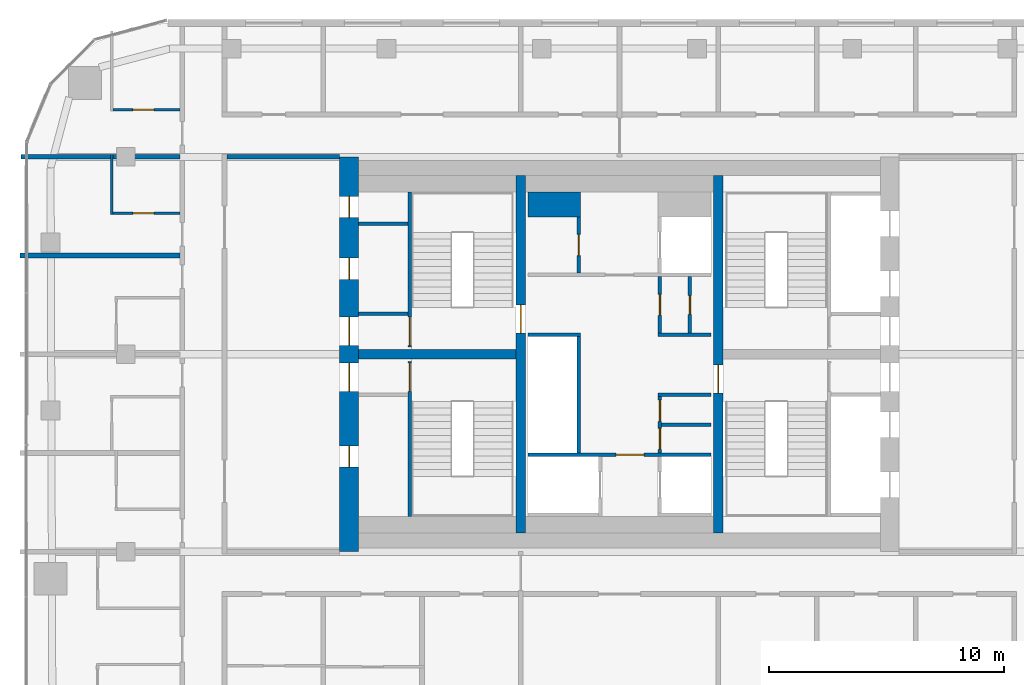
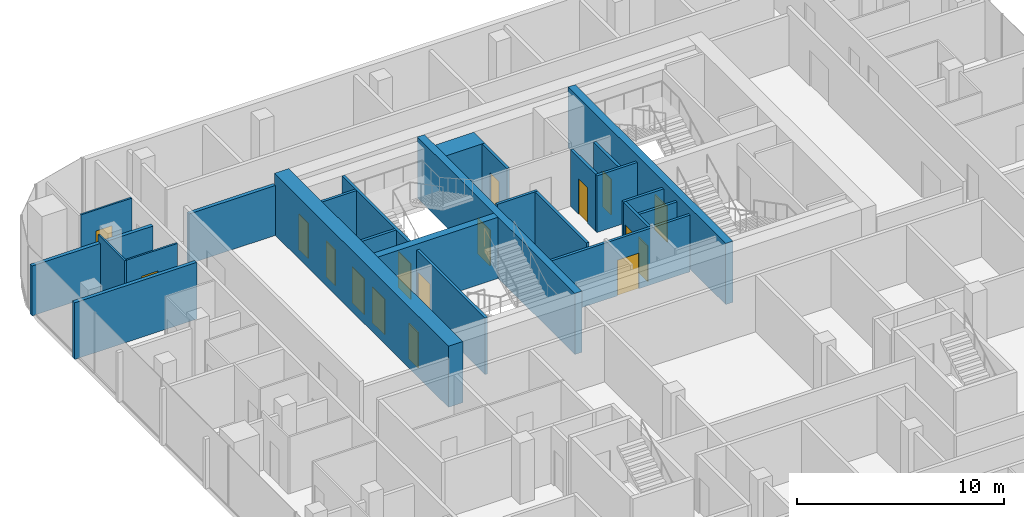
# One storey, part 18 of 22: 25 walls, 17 doors, 17 openings.
"""IFC4 building model written with IfcOpenShell, lengths in metres."""

from ifc_helpers import new_model, si_unit, direction, frame, frame_2d, origin, place, context, subcontext, project, spatial, rectangle, extrude, material, layer, layer_set, type_object, element, fill, save


model = new_model("IFC4")

# Units and contexts
model_context = context("Model", 3, precision=1e-05, world=origin(), true_north=direction((0.0, 1.0)))
body_context = subcontext(model_context, "Body", "Model", "MODEL_VIEW")
ifc_project = project(units=[si_unit("LENGTHUNIT", "METRE"), si_unit("AREAUNIT", "SQUARE_METRE"), si_unit("VOLUMEUNIT", "CUBIC_METRE"), si_unit("PLANEANGLEUNIT", "RADIAN"), si_unit("MASSUNIT", "GRAM", prefix="KILO")], contexts=[model_context])

# Site, building, storey
site_placement = place(None, origin())
site = spatial("IfcSite", under=ifc_project, at=site_placement, CompositionType="ELEMENT")
building_placement = place(site_placement, origin())
building = spatial("IfcBuilding", under=site, at=building_placement, Name="Marenta Gate Hotel Tower", CompositionType="ELEMENT")
storey_placement = place(building_placement, frame((0.0, 0.0, 230.89990234375)))
storey = spatial("IfcBuildingStorey", under=building, at=storey_placement, Name="L54", CompositionType="ELEMENT", Elevation=230.89990234375)

# Wall
ifc_material_1 = material(Name="Concrete blockwork", Category="masonry")
ifc_layer_1 = layer(ifc_material_1, 0.199951171875)
ifc_layer_set_1 = layer_set([ifc_layer_1], Name="Concrete blockwork")
wall_type_1 = type_object("IfcWallType", Name="Core boundary wall 200 REI 180", PredefinedType="PARTITIONING", material=ifc_layer_set_1)
wall_1_placement = place(storey_placement, frame((-16.699951171875, 16.800048828125, 0.0), z_axis=(0.0, 0.0, 1.0), x_axis=(1.0, 0.0, 0.0)))
element("IfcWall", 1, at=wall_1_placement, inside=storey, type_object=wall_type_1, Name="L54-CP-EW-WN", PredefinedType="PARTITIONING", context=body_context, shape_type="SweptSolid", body=[
    extrude(rectangle(XDim=4.800048828125, YDim=0.199951171875, at=frame_2d((2.39990234375, 0.0))), origin(), (0.0, 0.0, 1.0), 2.940185546875),
])

# Wall, opening, door
ifc_material_2 = material(Name="Concrete blockwork", Category="masonry")
ifc_layer_2 = layer(ifc_material_2, 0.14990234375)
ifc_layer_set_2 = layer_set([ifc_layer_2], Name="Concrete blockwork")
wall_type_2 = type_object("IfcWallType", Name="Core lobby partition 150 REI 180", PredefinedType="PARTITIONING", material=ifc_layer_set_2)
wall_2_placement = place(storey_placement, frame((-3.89990234375, 4.125, 0.0), z_axis=(0.0, 0.0, 1.0), x_axis=(1.0, 0.0, 0.0)))
wall_2 = element("IfcWall", 2, at=wall_2_placement, inside=storey, type_object=wall_type_2, Name="L54-CP-CW-S", PredefinedType="PARTITIONING", context=body_context, shape_type="SweptSolid", body=[
    extrude(rectangle(XDim=7.7998046875, YDim=0.14990234375, at=frame_2d((3.89990234375, 0.0))), origin(), (0.0, 0.0, 1.0), 3.340087890625),
])
opening_1_placement = place(wall_2_placement, frame((3.75, 0.0, 0.0)))
opening_1 = element("IfcOpeningElement", 3, at=opening_1_placement, cuts=wall_2, Name="Opening FD-FFS", PredefinedType="OPENING", context=body_context, shape_type="SweptSolid", body=[
    extrude(rectangle(XDim=1.199951171875, YDim=2.10009765625, at=frame_2d((0.60009765625, 1.050048828125))), frame((0.0, 0.074951171875, 0.0), z_axis=(0.0, -1.0, 0.0), x_axis=(1.0, 0.0, 0.0)), (0.0, 0.0, 1.0), 0.14990234375),
])
ifc_material_3 = material(Name="Steel", Category="steel")
door_type_1 = type_object("IfcDoorType", Name="Core lobby door 1200x2100 FD60", OperationType="SINGLE_SWING_LEFT", PredefinedType="DOOR", material=ifc_material_3)
door_1_placement = place(opening_1_placement, origin())
door_1 = element("IfcDoor", 4, at=door_1_placement, inside=storey, type_object=door_type_1, Name="FD-FFS", OperationType="SINGLE_SWING_LEFT", OverallHeight=2.10009765625, OverallWidth=1.199951171875, PredefinedType="DOOR", context=body_context, shape_type="SweptSolid", body=[
    extrude(rectangle(XDim=1.199951171875, YDim=2.10009765625, at=frame_2d((0.60009765625, 1.050048828125))), frame((0.0, 0.02490234375, 0.0), z_axis=(0.0, -1.0, 0.0), x_axis=(1.0, 0.0, 0.0)), (0.0, 0.0, 1.0), 0.050048828125),
])
fill(opening_1, door_1)

# Walls
ifc_material_4 = material(Name="Concrete blockwork", Category="masonry")
ifc_layer_3 = layer(ifc_material_4, 1.050048828125)
ifc_layer_set_3 = layer_set([ifc_layer_3], Name="Concrete blockwork")
wall_type_3 = type_object("IfcWallType", Name="Core room partition 1050 REI 180", PredefinedType="PARTITIONING", material=ifc_layer_set_3)
wall_3_placement = place(storey_placement, frame((-3.89990234375, 14.77490234375, 0.0), z_axis=(0.0, 0.0, 1.0), x_axis=(1.0, 0.0, 0.0)))
element("IfcWall", 5, at=wall_3_placement, inside=storey, type_object=wall_type_3, Name="L54-CP-CW-W-riser-N", PredefinedType="PARTITIONING", context=body_context, shape_type="SweptSolid", body=[
    extrude(rectangle(XDim=2.25, YDim=1.050048828125, at=frame_2d((1.125, 0.0))), origin(), (0.0, 0.0, 1.0), 3.340087890625),
])
ifc_material_5 = material(Name="Concrete blockwork", Category="masonry")
ifc_layer_4 = layer(ifc_material_5, 0.14990234375)
ifc_layer_set_4 = layer_set([ifc_layer_4], Name="Concrete blockwork")
wall_type_4 = type_object("IfcWallType", Name="Core room partition 150 REI 180", PredefinedType="PARTITIONING", material=ifc_layer_set_4)
for number, where, z_axis, x_axis, name in (
    (6, (-11.10009765625, 10.125, 0.0), (0.0, 0.0, 1.0), (1.0, 0.0, 0.0), "L54-CP-SW-WN-2"),
    (7, (-11.10009765625, 13.949951171875, 0.0), (0.0, 0.0, 1.0), (1.0, 0.0, 0.0), "L54-CP-RW-WN-1"),
):
    element("IfcWall", number, at=place(storey_placement, frame(where, z_axis=z_axis, x_axis=x_axis)), inside=storey, type_object=wall_type_4, Name=name, PredefinedType="PARTITIONING", context=body_context, shape_type="SweptSolid", body=[
        extrude(rectangle(XDim=2.10009765625, YDim=0.14990234375, at=frame_2d((1.050048828125, 0.0))), origin(), (0.0, 0.0, 1.0), 3.340087890625),
    ])

# Wall, opening, door
wall_4_placement = place(storey_placement, frame((-1.72509765625, 11.85009765625, 0.0), z_axis=(0.0, 0.0, 1.0), x_axis=(0.0, 1.0, 0.0)))
wall_4 = element("IfcWall", 8, at=wall_4_placement, inside=storey, type_object=wall_type_4, Name="L54-CP-CW-W-riser-front", PredefinedType="PARTITIONING", context=body_context, shape_type="SweptSolid", body=[
    extrude(rectangle(XDim=2.39990234375, YDim=0.14990234375, at=frame_2d((1.199951171875, 0.0))), origin(), (0.0, 0.0, 1.0), 3.340087890625),
])
opening_2_placement = place(wall_4_placement, frame((0.75, 0.0, 0.0)))
opening_2 = element("IfcOpeningElement", 9, at=opening_2_placement, cuts=wall_4, Name="Opening RD-CRISER", PredefinedType="OPENING", context=body_context, shape_type="SweptSolid", body=[
    extrude(rectangle(XDim=0.89990234375, YDim=2.10009765625, at=frame_2d((0.449951171875, 1.050048828125))), frame((0.0, 0.074951171875, 0.0), z_axis=(0.0, -1.0, 0.0), x_axis=(1.0, 0.0, 0.0)), (0.0, 0.0, 1.0), 0.14990234375),
])
ifc_material_6 = material(Name="Steel", Category="steel")
door_type_2 = type_object("IfcDoorType", Name="Core riser door 900x2100 FD60", OperationType="SINGLE_SWING_LEFT", PredefinedType="DOOR", material=ifc_material_6)
door_2_placement = place(opening_2_placement, origin())
door_2 = element("IfcDoor", 10, at=door_2_placement, inside=storey, type_object=door_type_2, Name="RD-CRISER", OperationType="SINGLE_SWING_LEFT", OverallHeight=2.10009765625, OverallWidth=0.89990234375, PredefinedType="DOOR", context=body_context, shape_type="SweptSolid", body=[
    extrude(rectangle(XDim=0.89990234375, YDim=2.10009765625, at=frame_2d((0.449951171875, 1.050048828125))), frame((0.0, 0.02490234375, 0.0), z_axis=(0.0, -1.0, 0.0), x_axis=(1.0, 0.0, 0.0)), (0.0, 0.0, 1.0), 0.050048828125),
])
fill(opening_2, door_2)

# Walls
for number, where, z_axis, x_axis, name in (
    (11, (1.64990234375, 6.675048828125, 0.0), (0.0, 0.0, 1.0), (1.0, 0.0, 0.0), "L54-CP-CE-sep1"),
    (12, (1.64990234375, 9.22509765625, 0.0), (0.0, 0.0, 1.0), (1.0, 0.0, 0.0), "L54-CP-CE-sep2"),
):
    element("IfcWall", number, at=place(storey_placement, frame(where, z_axis=z_axis, x_axis=x_axis)), inside=storey, type_object=wall_type_4, Name=name, PredefinedType="PARTITIONING", context=body_context, shape_type="SweptSolid", body=[
        extrude(rectangle(XDim=2.25, YDim=0.14990234375, at=frame_2d((1.125, 0.0))), origin(), (0.0, 0.0, 1.0), 3.340087890625),
    ])

# Wall, openings, doors
wall_5_placement = place(storey_placement, frame((1.72509765625, 4.199951171875, 0.0), z_axis=(0.0, 0.0, 1.0), x_axis=(0.0, 1.0, 0.0)))
wall_5 = element("IfcWall", 13, at=wall_5_placement, inside=storey, type_object=wall_type_4, Name="L54-CP-CE-front-1", PredefinedType="PARTITIONING", context=body_context, shape_type="SweptSolid", body=[
    extrude(rectangle(XDim=2.400146484375, YDim=0.14990234375, at=frame_2d((1.2001953125, 0.0))), origin(), (0.0, 0.0, 1.0), 3.340087890625),
])
opening_3_placement = place(wall_5_placement, frame((0.14990234375, 0.0, 0.0)))
opening_3 = element("IfcOpeningElement", 14, at=opening_3_placement, cuts=wall_5, Name="Opening RD-CE-1a", PredefinedType="OPENING", context=body_context, shape_type="SweptSolid", body=[
    extrude(rectangle(XDim=0.89990234375, YDim=2.10009765625, at=frame_2d((0.449951171875, 1.050048828125))), frame((0.0, 0.074951171875, 0.0), z_axis=(0.0, -1.0, 0.0), x_axis=(1.0, 0.0, 0.0)), (0.0, 0.0, 1.0), 0.14990234375),
])
opening_4_placement = place(wall_5_placement, frame((1.35009765625, 0.0, 0.0)))
opening_4 = element("IfcOpeningElement", 15, at=opening_4_placement, cuts=wall_5, Name="Opening RD-CE-1b-B", PredefinedType="OPENING", context=body_context, shape_type="SweptSolid", body=[
    extrude(rectangle(XDim=0.89990234375, YDim=2.10009765625, at=frame_2d((0.449951171875, 1.050048828125))), frame((0.0, 0.074951171875, 0.0), z_axis=(0.0, -1.0, 0.0), x_axis=(1.0, 0.0, 0.0)), (0.0, 0.0, 1.0), 0.14990234375),
])
ifc_material_7 = material(Name="Steel", Category="steel")
door_type_3 = type_object("IfcDoorType", Name="Core service room door 900x2100 FD30S", OperationType="SINGLE_SWING_LEFT", PredefinedType="DOOR", material=ifc_material_7)
door_3_placement = place(opening_3_placement, origin())
door_3 = element("IfcDoor", 16, at=door_3_placement, inside=storey, type_object=door_type_3, Name="RD-CE-1a", OperationType="SINGLE_SWING_LEFT", OverallHeight=2.10009765625, OverallWidth=0.89990234375, PredefinedType="DOOR", context=body_context, shape_type="SweptSolid", body=[
    extrude(rectangle(XDim=0.89990234375, YDim=2.10009765625, at=frame_2d((0.449951171875, 1.050048828125))), frame((0.0, 0.02490234375, 0.0), z_axis=(0.0, -1.0, 0.0), x_axis=(1.0, 0.0, 0.0)), (0.0, 0.0, 1.0), 0.050048828125),
])
fill(opening_3, door_3)
door_4_placement = place(opening_4_placement, origin())
door_4 = element("IfcDoor", 17, at=door_4_placement, inside=storey, type_object=door_type_3, Name="RD-CE-1b-B", OperationType="SINGLE_SWING_LEFT", OverallHeight=2.10009765625, OverallWidth=0.89990234375, PredefinedType="DOOR", context=body_context, shape_type="SweptSolid", body=[
    extrude(rectangle(XDim=0.89990234375, YDim=2.10009765625, at=frame_2d((0.449951171875, 1.050048828125))), frame((0.0, 0.02490234375, 0.0), z_axis=(0.0, -1.0, 0.0), x_axis=(1.0, 0.0, 0.0)), (0.0, 0.0, 1.0), 0.050048828125),
])
fill(opening_4, door_4)

# Wall, opening, door
wall_6_placement = place(storey_placement, frame((1.72509765625, 9.300048828125, 0.0), z_axis=(0.0, 0.0, 1.0), x_axis=(0.0, 1.0, 0.0)))
wall_6 = element("IfcWall", 18, at=wall_6_placement, inside=storey, type_object=wall_type_4, Name="L54-CP-CE-front-2", PredefinedType="PARTITIONING", context=body_context, shape_type="SweptSolid", body=[
    extrude(rectangle(XDim=2.39990234375, YDim=0.14990234375, at=frame_2d((1.199951171875, 0.0))), origin(), (0.0, 0.0, 1.0), 3.340087890625),
])
opening_5_placement = place(wall_6_placement, frame((0.75, 0.0, 0.0)))
opening_5 = element("IfcOpeningElement", 19, at=opening_5_placement, cuts=wall_6, Name="Opening RD-CE-2a", PredefinedType="OPENING", context=body_context, shape_type="SweptSolid", body=[
    extrude(rectangle(XDim=0.89990234375, YDim=2.10009765625, at=frame_2d((0.449951171875, 1.050048828125))), frame((0.0, 0.074951171875, 0.0), z_axis=(0.0, -1.0, 0.0), x_axis=(1.0, 0.0, 0.0)), (0.0, 0.0, 1.0), 0.14990234375),
])
door_5_placement = place(opening_5_placement, origin())
door_5 = element("IfcDoor", 20, at=door_5_placement, inside=storey, type_object=door_type_3, Name="RD-CE-2a", OperationType="SINGLE_SWING_LEFT", OverallHeight=2.10009765625, OverallWidth=0.89990234375, PredefinedType="DOOR", context=body_context, shape_type="SweptSolid", body=[
    extrude(rectangle(XDim=0.89990234375, YDim=2.10009765625, at=frame_2d((0.449951171875, 1.050048828125))), frame((0.0, 0.02490234375, 0.0), z_axis=(0.0, -1.0, 0.0), x_axis=(1.0, 0.0, 0.0)), (0.0, 0.0, 1.0), 0.050048828125),
])
fill(opening_5, door_5)

# Wall
wall_7_placement = place(storey_placement, frame((1.800048828125, 5.39990234375, 0.0), z_axis=(0.0, 0.0, 1.0), x_axis=(1.0, 0.0, 0.0)))
element("IfcWall", 21, at=wall_7_placement, inside=storey, type_object=wall_type_4, Name="L54-CP-CE-RW-1", PredefinedType="PARTITIONING", context=body_context, shape_type="SweptSolid", body=[
    extrude(rectangle(XDim=2.099853515625, YDim=0.14990234375, at=frame_2d((1.0498046875, 0.0))), origin(), (0.0, 0.0, 1.0), 3.340087890625),
])

# Wall, opening, door
wall_8_placement = place(storey_placement, frame((3.0, 9.300048828125, 0.0), z_axis=(0.0, 0.0, 1.0), x_axis=(0.0, 1.0, 0.0)))
wall_8 = element("IfcWall", 22, at=wall_8_placement, inside=storey, type_object=wall_type_4, Name="L54-CP-CE-RW-2", PredefinedType="PARTITIONING", context=body_context, shape_type="SweptSolid", body=[
    extrude(rectangle(XDim=2.39990234375, YDim=0.14990234375, at=frame_2d((1.199951171875, 0.0))), origin(), (0.0, 0.0, 1.0), 3.340087890625),
])
opening_6_placement = place(wall_8_placement, frame((0.800048828125, 0.0, 0.0)))
opening_6 = element("IfcOpeningElement", 23, at=opening_6_placement, cuts=wall_8, Name="Opening RD-CE-2b-A", PredefinedType="OPENING", context=body_context, shape_type="SweptSolid", body=[
    extrude(rectangle(XDim=0.800048828125, YDim=2.10009765625, at=frame_2d((0.39990234375, 1.050048828125))), frame((0.0, 0.074951171875, 0.0), z_axis=(0.0, -1.0, 0.0), x_axis=(1.0, 0.0, 0.0)), (0.0, 0.0, 1.0), 0.14990234375),
])
ifc_material_8 = material(Name="Steel", Category="steel")
door_type_4 = type_object("IfcDoorType", Name="Core riser door 800x2100 FD60", OperationType="SINGLE_SWING_LEFT", PredefinedType="DOOR", material=ifc_material_8)
door_6_placement = place(opening_6_placement, origin())
door_6 = element("IfcDoor", 24, at=door_6_placement, inside=storey, type_object=door_type_4, Name="RD-CE-2b-A", OperationType="SINGLE_SWING_LEFT", OverallHeight=2.10009765625, OverallWidth=0.800048828125, PredefinedType="DOOR", context=body_context, shape_type="SweptSolid", body=[
    extrude(rectangle(XDim=0.800048828125, YDim=2.10009765625, at=frame_2d((0.39990234375, 1.050048828125))), frame((0.0, 0.02490234375, 0.0), z_axis=(0.0, -1.0, 0.0), x_axis=(1.0, 0.0, 0.0)), (0.0, 0.0, 1.0), 0.050048828125),
])
fill(opening_6, door_6)

# Walls
ifc_material_9 = material(Name="Concrete C40", Category="concrete")
ifc_layer_5 = layer(ifc_material_9, 0.14990234375)
ifc_layer_set_5 = layer_set([ifc_layer_5], Name="Concrete C40")
wall_type_5 = type_object("IfcWallType", Name="Core shaft wall 150 REI 180", PredefinedType="SHEAR", material=ifc_layer_set_5)
wall_9_placement = place(storey_placement, frame((-1.72509765625, 4.199951171875, 0.0), z_axis=(0.0, 0.0, 1.0), x_axis=(0.0, 1.0, 0.0)))
element("IfcWall", 25, at=wall_9_placement, inside=storey, type_object=wall_type_5, Name="L54-SHF-CW-W-front", PredefinedType="SHEAR", context=body_context, shape_type="SweptSolid", body=[
    extrude(rectangle(XDim=4.949951171875, YDim=0.14990234375, at=frame_2d((2.47509765625, 0.0))), origin(), (0.0, 0.0, 1.0), 3.60009765625),
])
wall_10_placement = place(storey_placement, frame((-3.89990234375, 9.22509765625, 0.0), z_axis=(0.0, 0.0, 1.0), x_axis=(1.0, 0.0, 0.0)))
element("IfcWall", 26, at=wall_10_placement, inside=storey, type_object=wall_type_5, Name="L54-SHF-CW-W-sep", PredefinedType="SHEAR", context=body_context, shape_type="SweptSolid", body=[
    extrude(rectangle(XDim=2.25, YDim=0.14990234375, at=frame_2d((1.125, 0.0))), origin(), (0.0, 0.0, 1.0), 3.60009765625),
])

# Wall, opening, door
ifc_material_10 = material(Name="Concrete C40", Category="concrete")
ifc_layer_6 = layer(ifc_material_10, 0.14990234375)
ifc_layer_set_6 = layer_set([ifc_layer_6], Name="Concrete C40")
wall_type_6 = type_object("IfcWallType", Name="Core stair enclosure wall 150 REI 180", PredefinedType="SHEAR", material=ifc_layer_set_6)
wall_11_placement = place(storey_placement, frame((-8.925048828125, 1.5, 0.0), z_axis=(0.0, 0.0, 1.0), x_axis=(0.0, 1.0, 0.0)))
wall_11 = element("IfcWall", 27, at=wall_11_placement, inside=storey, type_object=wall_type_6, Name="L54-SHF-SW-WS-3", PredefinedType="SHEAR", context=body_context, shape_type="SweptSolid", body=[
    extrude(rectangle(XDim=6.60009765625, YDim=0.14990234375, at=frame_2d((3.300048828125, 0.0))), origin(), (0.0, 0.0, 1.0), 3.340087890625),
])
opening_7_placement = place(wall_11_placement, frame((5.324951171875, 0.0, 0.0)))
opening_7 = element("IfcOpeningElement", 28, at=opening_7_placement, cuts=wall_11, Name="Opening SD-WS", PredefinedType="OPENING", context=body_context, shape_type="SweptSolid", body=[
    extrude(rectangle(XDim=1.199951171875, YDim=2.10009765625, at=frame_2d((0.60009765625, 1.050048828125))), frame((0.0, 0.074951171875, 0.0), z_axis=(0.0, -1.0, 0.0), x_axis=(1.0, 0.0, 0.0)), (0.0, 0.0, 1.0), 0.14990234375),
])
ifc_material_11 = material(Name="Steel", Category="steel")
door_type_5 = type_object("IfcDoorType", Name="Core stair door 1200x2100 FD60", OperationType="SINGLE_SWING_LEFT", PredefinedType="DOOR", material=ifc_material_11)
door_7_placement = place(opening_7_placement, origin())
door_7 = element("IfcDoor", 29, at=door_7_placement, inside=storey, type_object=door_type_5, Name="SD-WS", OperationType="SINGLE_SWING_LEFT", OverallHeight=2.10009765625, OverallWidth=1.199951171875, PredefinedType="DOOR", context=body_context, shape_type="SweptSolid", body=[
    extrude(rectangle(XDim=1.199951171875, YDim=2.10009765625, at=frame_2d((0.60009765625, 1.050048828125))), frame((0.0, 0.02490234375, 0.0), z_axis=(0.0, -1.0, 0.0), x_axis=(1.0, 0.0, 0.0)), (0.0, 0.0, 1.0), 0.050048828125),
])
fill(opening_7, door_7)

wall_12_placement = place(storey_placement, frame((-8.925048828125, 8.699951171875, 0.0), z_axis=(0.0, 0.0, 1.0), x_axis=(0.0, 1.0, 0.0)))
wall_12 = element("IfcWall", 30, at=wall_12_placement, inside=storey, type_object=wall_type_6, Name="L54-SHF-SW-WN-3", PredefinedType="SHEAR", context=body_context, shape_type="SweptSolid", body=[
    extrude(rectangle(XDim=6.60009765625, YDim=0.14990234375, at=frame_2d((3.300048828125, 0.0))), origin(), (0.0, 0.0, 1.0), 3.340087890625),
])
opening_8_placement = place(wall_12_placement, frame((0.074951171875, 0.0, 0.0)))
opening_8 = element("IfcOpeningElement", 31, at=opening_8_placement, cuts=wall_12, Name="Opening SD-WN", PredefinedType="OPENING", context=body_context, shape_type="SweptSolid", body=[
    extrude(rectangle(XDim=1.199951171875, YDim=2.10009765625, at=frame_2d((0.60009765625, 1.050048828125))), frame((0.0, 0.074951171875, 0.0), z_axis=(0.0, -1.0, 0.0), x_axis=(1.0, 0.0, 0.0)), (0.0, 0.0, 1.0), 0.14990234375),
])
door_8_placement = place(opening_8_placement, origin())
door_8 = element("IfcDoor", 32, at=door_8_placement, inside=storey, type_object=door_type_5, Name="SD-WN", OperationType="SINGLE_SWING_LEFT", OverallHeight=2.10009765625, OverallWidth=1.199951171875, PredefinedType="DOOR", context=body_context, shape_type="SweptSolid", body=[
    extrude(rectangle(XDim=1.199951171875, YDim=2.10009765625, at=frame_2d((0.60009765625, 1.050048828125))), frame((0.0, 0.02490234375, 0.0), z_axis=(0.0, -1.0, 0.0), x_axis=(1.0, 0.0, 0.0)), (0.0, 0.0, 1.0), 0.050048828125),
])
fill(opening_8, door_8)

# Wall, openings, doors
ifc_material_12 = material(Name="Concrete C60", Category="concrete")
ifc_layer_7 = layer(ifc_material_12, 0.800048828125)
ifc_layer_set_7 = layer_set([ifc_layer_7], Name="Concrete C60")
wall_type_7 = type_object("IfcWallType", Name="Core wall 800 C60", PredefinedType="SHEAR", material=ifc_layer_set_7)
wall_13_placement = place(storey_placement, frame((-11.5, 0.0, 0.0), z_axis=(0.0, 0.0, 1.0), x_axis=(0.0, 1.0, 0.0)))
wall_13 = element("IfcWall", 33, at=wall_13_placement, inside=storey, type_object=wall_type_7, Name="L54-CORE-W", PredefinedType="SHEAR", context=body_context, shape_type="SweptSolid", body=[
    extrude(rectangle(XDim=16.800048828125, YDim=0.800048828125, at=frame_2d((8.39990234375, 0.0))), origin(), (0.0, 0.0, 1.0), 3.60009765625),
])
opening_9_placement = place(wall_13_placement, frame((3.60009765625, 0.0, 0.0)))
opening_9 = element("IfcOpeningElement", 34, at=opening_9_placement, cuts=wall_13, Name="Opening RD-WS-1", PredefinedType="OPENING", context=body_context, shape_type="SweptSolid", body=[
    extrude(rectangle(XDim=0.89990234375, YDim=2.10009765625, at=frame_2d((0.449951171875, 1.050048828125))), frame((0.0, 0.39990234375, 0.0), z_axis=(0.0, -1.0, 0.0), x_axis=(1.0, 0.0, 0.0)), (0.0, 0.0, 1.0), 0.800048828125),
])
opening_10_placement = place(wall_13_placement, frame((6.824951171875, 0.0, 0.0)))
opening_10 = element("IfcOpeningElement", 35, at=opening_10_placement, cuts=wall_13, Name="Opening PD-WS", PredefinedType="OPENING", context=body_context, shape_type="SweptSolid", body=[
    extrude(rectangle(XDim=1.199951171875, YDim=2.10009765625, at=frame_2d((0.60009765625, 1.050048828125))), frame((0.0, 0.39990234375, 0.0), z_axis=(0.0, -1.0, 0.0), x_axis=(1.0, 0.0, 0.0)), (0.0, 0.0, 1.0), 0.800048828125),
])
opening_11_placement = place(wall_13_placement, frame((14.21240234375, 0.0, 0.0)))
opening_11 = element("IfcOpeningElement", 36, at=opening_11_placement, cuts=wall_13, Name="Opening RD-WN-1", PredefinedType="OPENING", context=body_context, shape_type="SweptSolid", body=[
    extrude(rectangle(XDim=0.89990234375, YDim=2.10009765625, at=frame_2d((0.449951171875, 1.050048828125))), frame((0.0, 0.39990234375, 0.0), z_axis=(0.0, -1.0, 0.0), x_axis=(1.0, 0.0, 0.0)), (0.0, 0.0, 1.0), 0.800048828125),
])
opening_12_placement = place(wall_13_placement, frame((11.58740234375, 0.0, 0.0)))
opening_12 = element("IfcOpeningElement", 37, at=opening_12_placement, cuts=wall_13, Name="Opening RD-WN-2", PredefinedType="OPENING", context=body_context, shape_type="SweptSolid", body=[
    extrude(rectangle(XDim=0.89990234375, YDim=2.10009765625, at=frame_2d((0.449951171875, 1.050048828125))), frame((0.0, 0.39990234375, 0.0), z_axis=(0.0, -1.0, 0.0), x_axis=(1.0, 0.0, 0.0)), (0.0, 0.0, 1.0), 0.800048828125),
])
opening_13_placement = place(wall_13_placement, frame((8.77490234375, 0.0, 0.0)))
opening_13 = element("IfcOpeningElement", 38, at=opening_13_placement, cuts=wall_13, Name="Opening PD-WN", PredefinedType="OPENING", context=body_context, shape_type="SweptSolid", body=[
    extrude(rectangle(XDim=1.199951171875, YDim=2.10009765625, at=frame_2d((0.60009765625, 1.050048828125))), frame((0.0, 0.39990234375, 0.0), z_axis=(0.0, -1.0, 0.0), x_axis=(1.0, 0.0, 0.0)), (0.0, 0.0, 1.0), 0.800048828125),
])
door_9_placement = place(opening_10_placement, origin())
door_9 = element("IfcDoor", 39, at=door_9_placement, inside=storey, type_object=door_type_1, Name="PD-WS", OperationType="SINGLE_SWING_LEFT", OverallHeight=2.10009765625, OverallWidth=1.199951171875, PredefinedType="DOOR", context=body_context, shape_type="SweptSolid", body=[
    extrude(rectangle(XDim=1.199951171875, YDim=2.10009765625, at=frame_2d((0.60009765625, 1.050048828125))), frame((0.0, 0.02490234375, 0.0), z_axis=(0.0, -1.0, 0.0), x_axis=(1.0, 0.0, 0.0)), (0.0, 0.0, 1.0), 0.050048828125),
])
fill(opening_10, door_9)
door_10_placement = place(opening_13_placement, origin())
door_10 = element("IfcDoor", 40, at=door_10_placement, inside=storey, type_object=door_type_1, Name="PD-WN", OperationType="SINGLE_SWING_LEFT", OverallHeight=2.10009765625, OverallWidth=1.199951171875, PredefinedType="DOOR", context=body_context, shape_type="SweptSolid", body=[
    extrude(rectangle(XDim=1.199951171875, YDim=2.10009765625, at=frame_2d((0.60009765625, 1.050048828125))), frame((0.0, 0.02490234375, 0.0), z_axis=(0.0, -1.0, 0.0), x_axis=(1.0, 0.0, 0.0)), (0.0, 0.0, 1.0), 0.050048828125),
])
fill(opening_13, door_10)
door_11_placement = place(opening_9_placement, origin())
door_11 = element("IfcDoor", 41, at=door_11_placement, inside=storey, type_object=door_type_3, Name="RD-WS-1", OperationType="SINGLE_SWING_LEFT", OverallHeight=2.10009765625, OverallWidth=0.89990234375, PredefinedType="DOOR", context=body_context, shape_type="SweptSolid", body=[
    extrude(rectangle(XDim=0.89990234375, YDim=2.10009765625, at=frame_2d((0.449951171875, 1.050048828125))), frame((0.0, 0.02490234375, 0.0), z_axis=(0.0, -1.0, 0.0), x_axis=(1.0, 0.0, 0.0)), (0.0, 0.0, 1.0), 0.050048828125),
])
fill(opening_9, door_11)
door_12_placement = place(opening_11_placement, origin())
door_12 = element("IfcDoor", 42, at=door_12_placement, inside=storey, type_object=door_type_3, Name="RD-WN-1", OperationType="SINGLE_SWING_LEFT", OverallHeight=2.10009765625, OverallWidth=0.89990234375, PredefinedType="DOOR", context=body_context, shape_type="SweptSolid", body=[
    extrude(rectangle(XDim=0.89990234375, YDim=2.10009765625, at=frame_2d((0.449951171875, 1.050048828125))), frame((0.0, 0.02490234375, 0.0), z_axis=(0.0, -1.0, 0.0), x_axis=(1.0, 0.0, 0.0)), (0.0, 0.0, 1.0), 0.050048828125),
])
fill(opening_11, door_12)
door_13_placement = place(opening_12_placement, origin())
door_13 = element("IfcDoor", 43, at=door_13_placement, inside=storey, type_object=door_type_3, Name="RD-WN-2", OperationType="SINGLE_SWING_LEFT", OverallHeight=2.10009765625, OverallWidth=0.89990234375, PredefinedType="DOOR", context=body_context, shape_type="SweptSolid", body=[
    extrude(rectangle(XDim=0.89990234375, YDim=2.10009765625, at=frame_2d((0.449951171875, 1.050048828125))), frame((0.0, 0.02490234375, 0.0), z_axis=(0.0, -1.0, 0.0), x_axis=(1.0, 0.0, 0.0)), (0.0, 0.0, 1.0), 0.050048828125),
])
fill(opening_12, door_13)

# Wall, opening, door
ifc_material_13 = material(Name="Concrete C60", Category="concrete")
ifc_layer_8 = layer(ifc_material_13, 0.39990234375)
ifc_layer_set_8 = layer_set([ifc_layer_8], Name="Concrete C60")
wall_type_8 = type_object("IfcWallType", Name="Core web 400 C60", PredefinedType="SHEAR", material=ifc_layer_set_8)
wall_14_placement = place(storey_placement, frame((-4.199951171875, 0.800048828125, 0.0), z_axis=(0.0, 0.0, 1.0), x_axis=(0.0, 1.0, 0.0)))
wall_14 = element("IfcWall", 44, at=wall_14_placement, inside=storey, type_object=wall_type_8, Name="L54-CORE-W1", PredefinedType="SHEAR", context=body_context, shape_type="SweptSolid", body=[
    extrude(rectangle(XDim=15.199951171875, YDim=0.39990234375, at=frame_2d((7.60009765625, 0.0))), origin(), (0.0, 0.0, 1.0), 3.60009765625),
])
opening_14_placement = place(wall_14_placement, frame((8.5, 0.0, 0.0)))
opening_14 = element("IfcOpeningElement", 45, at=opening_14_placement, cuts=wall_14, Name="Opening WD-W", PredefinedType="OPENING", context=body_context, shape_type="SweptSolid", body=[
    extrude(rectangle(XDim=1.199951171875, YDim=2.10009765625, at=frame_2d((0.60009765625, 1.050048828125))), frame((0.0, 0.199951171875, 0.0), z_axis=(0.0, -1.0, 0.0), x_axis=(1.0, 0.0, 0.0)), (0.0, 0.0, 1.0), 0.39990234375),
])
door_14_placement = place(opening_14_placement, origin())
door_14 = element("IfcDoor", 46, at=door_14_placement, inside=storey, type_object=door_type_5, Name="WD-W", OperationType="SINGLE_SWING_LEFT", OverallHeight=2.10009765625, OverallWidth=1.199951171875, PredefinedType="DOOR", context=body_context, shape_type="SweptSolid", body=[
    extrude(rectangle(XDim=1.199951171875, YDim=2.10009765625, at=frame_2d((0.60009765625, 1.050048828125))), frame((0.0, 0.02490234375, 0.0), z_axis=(0.0, -1.0, 0.0), x_axis=(1.0, 0.0, 0.0)), (0.0, 0.0, 1.0), 0.050048828125),
])
fill(opening_14, door_14)

wall_15_placement = place(storey_placement, frame((4.199951171875, 0.800048828125, 0.0), z_axis=(0.0, 0.0, 1.0), x_axis=(0.0, 1.0, 0.0)))
wall_15 = element("IfcWall", 47, at=wall_15_placement, inside=storey, type_object=wall_type_8, Name="L54-CORE-W2", PredefinedType="SHEAR", context=body_context, shape_type="SweptSolid", body=[
    extrude(rectangle(XDim=15.199951171875, YDim=0.39990234375, at=frame_2d((7.60009765625, 0.0))), origin(), (0.0, 0.0, 1.0), 3.60009765625),
])
opening_15_placement = place(wall_15_placement, frame((5.949951171875, 0.0, 0.0)))
opening_15 = element("IfcOpeningElement", 48, at=opening_15_placement, cuts=wall_15, Name="Opening WD-E", PredefinedType="OPENING", context=body_context, shape_type="SweptSolid", body=[
    extrude(rectangle(XDim=1.199951171875, YDim=2.10009765625, at=frame_2d((0.60009765625, 1.050048828125))), frame((0.0, 0.199951171875, 0.0), z_axis=(0.0, -1.0, 0.0), x_axis=(1.0, 0.0, 0.0)), (0.0, 0.0, 1.0), 0.39990234375),
])
door_15_placement = place(opening_15_placement, origin())
door_15 = element("IfcDoor", 49, at=door_15_placement, inside=storey, type_object=door_type_5, Name="WD-E", OperationType="SINGLE_SWING_LEFT", OverallHeight=2.10009765625, OverallWidth=1.199951171875, PredefinedType="DOOR", context=body_context, shape_type="SweptSolid", body=[
    extrude(rectangle(XDim=1.199951171875, YDim=2.10009765625, at=frame_2d((0.60009765625, 1.050048828125))), frame((0.0, 0.02490234375, 0.0), z_axis=(0.0, -1.0, 0.0), x_axis=(1.0, 0.0, 0.0)), (0.0, 0.0, 1.0), 0.050048828125),
])
fill(opening_15, door_15)

# Wall
wall_16_placement = place(storey_placement, frame((-11.10009765625, 8.39990234375, 0.0), z_axis=(0.0, 0.0, 1.0), x_axis=(1.0, 0.0, 0.0)))
element("IfcWall", 50, at=wall_16_placement, inside=storey, type_object=wall_type_8, Name="L54-CORE-W3", PredefinedType="SHEAR", context=body_context, shape_type="SweptSolid", body=[
    extrude(rectangle(XDim=6.7001953125, YDim=0.39990234375, at=frame_2d((3.35009765625, 0.0))), origin(), (0.0, 0.0, 1.0), 3.60009765625),
])

# Wall, opening, door
ifc_material_14 = material(Name="Gypsum board on steel stud", Category="steel")
ifc_layer_9 = layer(ifc_material_14, 0.10009765625)
ifc_layer_set_9 = layer_set([ifc_layer_9], Name="Gypsum board on steel stud")
wall_type_9 = type_object("IfcWallType", Name="Room partition 100", PredefinedType="PARTITIONING", material=ifc_layer_set_9)
wall_17_placement = place(storey_placement, frame((-21.550048828125, 14.39990234375, 0.0), z_axis=(0.0, 0.0, 1.0), x_axis=(1.0, 0.0, 0.0)))
wall_17 = element("IfcWall", 51, at=wall_17_placement, inside=storey, type_object=wall_type_9, Name="L54-PTN-W104", PredefinedType="PARTITIONING", context=body_context, shape_type="SweptSolid", body=[
    extrude(rectangle(XDim=2.85009765625, YDim=0.10009765625, at=frame_2d((1.425048828125, 0.0))), origin(), (0.0, 0.0, 1.0), 3.340087890625),
])
opening_16_placement = place(wall_17_placement, frame((0.85009765625, 0.0, 0.0)))
opening_16 = element("IfcOpeningElement", 52, at=opening_16_placement, cuts=wall_17, Name="Opening G20-69", PredefinedType="OPENING", context=body_context, shape_type="SweptSolid", body=[
    extrude(rectangle(XDim=0.89990234375, YDim=2.10009765625, at=frame_2d((0.449951171875, 1.050048828125))), frame((0.0, 0.050048828125, 0.0), z_axis=(0.0, -1.0, 0.0), x_axis=(1.0, 0.0, 0.0)), (0.0, 0.0, 1.0), 0.10009765625),
])
ifc_material_15 = material(Name="Timber door leaf", Category="wood")
door_type_6 = type_object("IfcDoorType", Name="Guest bathroom door 900x2100", OperationType="NOTDEFINED", PredefinedType="DOOR", material=ifc_material_15)
door_16_placement = place(opening_16_placement, origin())
door_16 = element("IfcDoor", 53, at=door_16_placement, inside=storey, type_object=door_type_6, Name="L54-PD-D069", OperationType="SINGLE_SWING_LEFT", OverallHeight=2.10009765625, OverallWidth=0.89990234375, PredefinedType="DOOR", context=body_context, shape_type="SweptSolid", body=[
    extrude(rectangle(XDim=0.89990234375, YDim=2.10009765625, at=frame_2d((0.449951171875, 1.050048828125))), frame((0.0, 0.02490234375, 0.0), z_axis=(0.0, -1.0, 0.0), x_axis=(1.0, 0.0, 0.0)), (0.0, 0.0, 1.0), 0.050048828125),
])
fill(opening_16, door_16)

wall_18_placement = place(storey_placement, frame((-21.550048828125, 18.800048828125, 0.0), z_axis=(0.0, 0.0, 1.0), x_axis=(1.0, 0.0, 0.0)))
wall_18 = element("IfcWall", 54, at=wall_18_placement, inside=storey, type_object=wall_type_9, Name="L54-PTN-W115", PredefinedType="PARTITIONING", context=body_context, shape_type="SweptSolid", body=[
    extrude(rectangle(XDim=2.85009765625, YDim=0.10009765625, at=frame_2d((1.425048828125, 0.0))), origin(), (0.0, 0.0, 1.0), 3.340087890625),
])
opening_17_placement = place(wall_18_placement, frame((0.85009765625, 0.0, 0.0)))
opening_17 = element("IfcOpeningElement", 55, at=opening_17_placement, cuts=wall_18, Name="Opening G20-71", PredefinedType="OPENING", context=body_context, shape_type="SweptSolid", body=[
    extrude(rectangle(XDim=0.89990234375, YDim=2.10009765625, at=frame_2d((0.449951171875, 1.050048828125))), frame((0.0, 0.050048828125, 0.0), z_axis=(0.0, -1.0, 0.0), x_axis=(1.0, 0.0, 0.0)), (0.0, 0.0, 1.0), 0.10009765625),
])
door_17_placement = place(opening_17_placement, origin())
door_17 = element("IfcDoor", 56, at=door_17_placement, inside=storey, type_object=door_type_6, Name="L54-PD-D071", OperationType="SINGLE_SWING_LEFT", OverallHeight=2.10009765625, OverallWidth=0.89990234375, PredefinedType="DOOR", context=body_context, shape_type="SweptSolid", body=[
    extrude(rectangle(XDim=0.89990234375, YDim=2.10009765625, at=frame_2d((0.449951171875, 1.050048828125))), frame((0.0, 0.02490234375, 0.0), z_axis=(0.0, -1.0, 0.0), x_axis=(1.0, 0.0, 0.0)), (0.0, 0.0, 1.0), 0.050048828125),
])
fill(opening_17, door_17)

# Walls
wall_19_placement = place(storey_placement, frame((-21.60009765625, 14.35009765625, 0.0), z_axis=(0.0, 0.0, 1.0), x_axis=(0.0, 1.0, 0.0)))
element("IfcWall", 57, at=wall_19_placement, inside=storey, type_object=wall_type_9, Name="L54-PTN-W121", PredefinedType="PARTITIONING", context=body_context, shape_type="SweptSolid", body=[
    extrude(rectangle(XDim=2.5498046875, YDim=0.10009765625, at=frame_2d((1.27490234375, 0.0))), origin(), (0.0, 0.0, 1.0), 3.340087890625),
])
ifc_material_16 = material(Name="Gypsum board on steel stud", Category="steel")
ifc_layer_10 = layer(ifc_material_16, 0.199951171875)
ifc_layer_set_10 = layer_set([ifc_layer_10], Name="Gypsum board on steel stud")
wall_type_10 = type_object("IfcWallType", Name="Room party wall 200 EI 60", PredefinedType="PARTITIONING", material=ifc_layer_set_10)
wall_20_placement = place(storey_placement, frame((-25.5, 12.60009765625, 0.0), z_axis=(0.0, 0.0, 1.0), x_axis=(1.0, 0.0, 0.0)))
element("IfcWall", 58, at=wall_20_placement, inside=storey, type_object=wall_type_10, Name="L54-PTN-W102", PredefinedType="PARTITIONING", context=body_context, shape_type="SweptSolid", body=[
    extrude(rectangle(XDim=6.800048828125, YDim=0.199951171875, at=frame_2d((3.39990234375, 0.0))), origin(), (0.0, 0.0, 1.0), 3.340087890625),
])
wall_21_placement = place(storey_placement, frame((-25.447021484375, 16.800048828125, 0.0), z_axis=(0.0, 0.0, 1.0), x_axis=(1.0, 0.0, 0.0)))
element("IfcWall", 59, at=wall_21_placement, inside=storey, type_object=wall_type_10, Name="L54-PTN-W111", PredefinedType="PARTITIONING", context=body_context, shape_type="SweptSolid", body=[
    extrude(rectangle(XDim=6.7470703125, YDim=0.199951171875, at=frame_2d((3.37353515625, 0.0))), origin(), (0.0, 0.0, 1.0), 2.940185546875),
])

save(model, "model.ifc")
